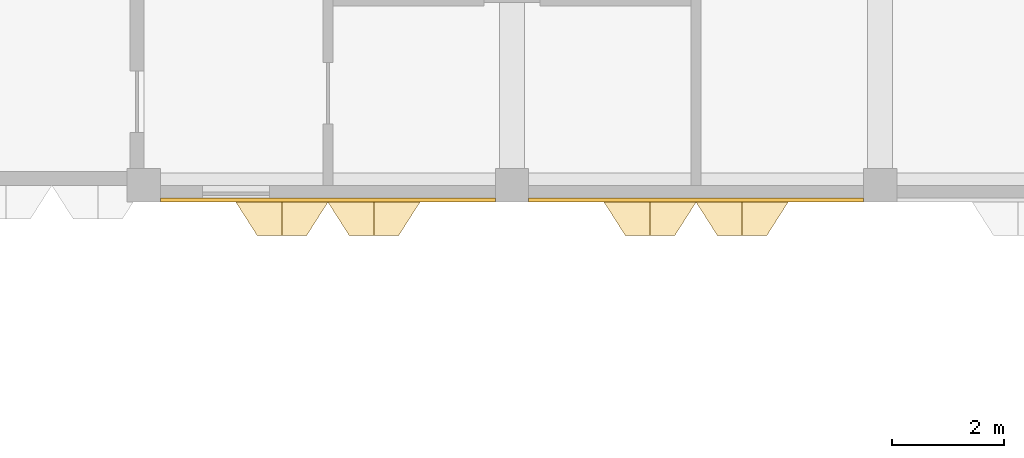
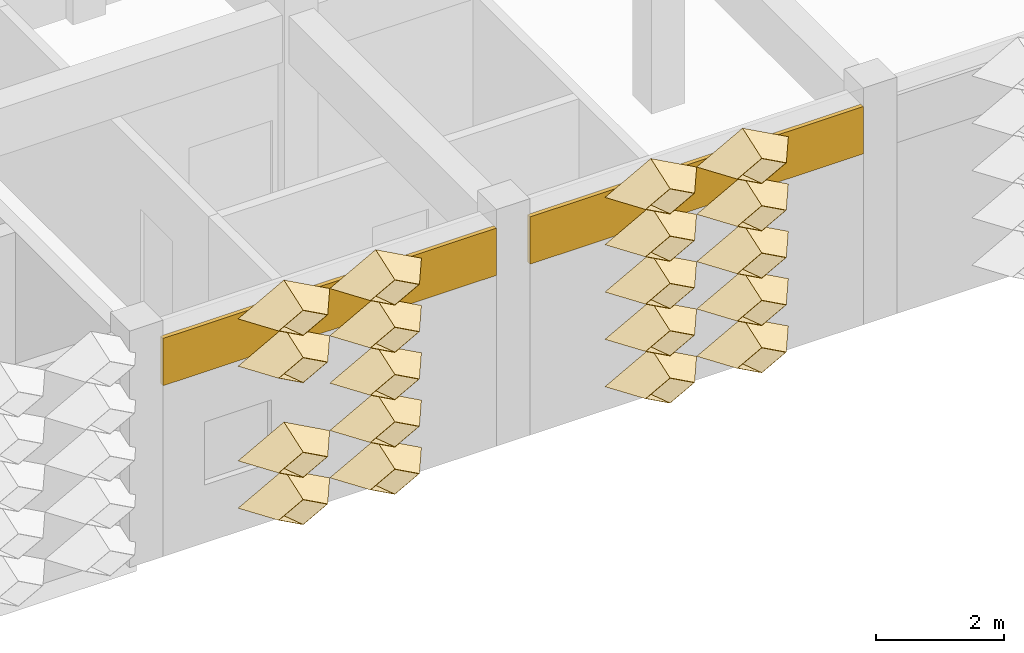
# One storey, part 54 of 87: 21 coverings.
"""IFC4 building model written with IfcOpenShell, lengths in metres."""

from ifc_helpers import new_model, entity, si_unit, direction, frame, frame_2d, origin, place, context, subcontext, project, spatial, rectangle, extrude, material, layer, layer_set, type_object, element, save


model = new_model("IFC4")

# Units and contexts
model_context = context("Model", 3, precision=1e-05, world=origin(), true_north=direction((0.0, 1.0)))
body_context = subcontext(model_context, "Body", "Model", "MODEL_VIEW")
ifc_project = project(units=[si_unit("LENGTHUNIT", "METRE"), si_unit("AREAUNIT", "SQUARE_METRE"), si_unit("VOLUMEUNIT", "CUBIC_METRE"), si_unit("PLANEANGLEUNIT", "RADIAN"), si_unit("MASSUNIT", "GRAM", prefix="KILO")], contexts=[model_context])

# Site, building, storey
site_placement = place(None, origin())
site = spatial("IfcSite", under=ifc_project, at=site_placement, CompositionType="ELEMENT")
building_placement = place(site_placement, origin())
building = spatial("IfcBuilding", under=site, at=building_placement, Name="Lantern Court Research Institute", CompositionType="ELEMENT")
storey_placement = place(building_placement, frame((0.0, 0.0, 5.39990234375)))
storey = spatial("IfcBuildingStorey", under=building, at=storey_placement, Name="L01", CompositionType="ELEMENT", Elevation=5.39990234375)

# Coverings
ifc_material_1 = material(Name="Aluminium composite panel with mineral wool insulation", Category="aluminium")
ifc_layer_1 = layer(ifc_material_1, 0.074951171875)
ifc_layer_set_1 = layer_set([ifc_layer_1], Name="Aluminium composite panel with mineral wool insulation")
covering_type_1 = type_object("IfcCoveringType", Name="Edge fascia panel 75 aluminium faced", PredefinedType="CLADDING", material=ifc_layer_set_1)
for number, where, z_axis, x_axis, name in (
    (1, (12.89990234375, 49.237548828125, 3.25), (0.0, 0.0, 1.0), (-1.0, 0.0, 0.0), "Edge fascia V3S L01 01"),
    (2, (19.5, 49.237548828125, 3.25), (0.0, 0.0, 1.0), (-1.0, 0.0, 0.0), "Edge fascia V3S L01 02"),
):
    element("IfcCovering", number, at=place(storey_placement, frame(where, z_axis=z_axis, x_axis=x_axis)), inside=storey, type_object=covering_type_1, Name=name, PredefinedType="CLADDING", context=body_context, shape_type="SweptSolid", body=[
        extrude(rectangle(XDim=6.0, YDim=0.074951171875, at=frame_2d((3.0, 0.0))), origin(), (0.0, 0.0, 1.0), 0.900146484375),
    ])
ifc_material_2 = material(Name="Anodised aluminium", Category="aluminium")
ifc_layer_2 = layer(ifc_material_2, 0.01611328125)
ifc_layer_set_2 = layer_set([ifc_layer_2], Name="Anodised aluminium")
covering_type_2 = type_object("IfcCoveringType", Name="Fin cassette 1650 x 900 x 600 aluminium", PredefinedType="CLADDING", material=ifc_layer_set_2)
covering_1_placement = place(storey_placement, frame((9.074951171875, 49.199951171875, 0.4501953125), z_axis=(0.0, -1.0, 0.0), x_axis=(1.0, 0.0, 0.0)))
cartesian_point_1 = entity("IfcCartesianPoint", [0.824951171875, 0.0])
cartesian_point_2 = entity("IfcCartesianPoint", [0.79150390625, 0.0])
cartesian_point_3 = entity("IfcCartesianPoint", [0.44189453125, 0.0])
cartesian_point_4 = entity("IfcCartesianPoint", [0.43359375, 0.0])
element("IfcCovering", 3, at=covering_1_placement, inside=storey, type_object=covering_type_2, Name="Fin cassette V3S-L01 1.6", PredefinedType="CLADDING", context=body_context, shape_type="SweptSolid", body=[
    entity("IfcExtrudedAreaSolidTapered", entity("IfcArbitraryProfileDefWithVoids", "AREA", None, entity("IfcPolyline", [cartesian_point_1, entity("IfcCartesianPoint", [0.0, 0.449951171875]), entity("IfcCartesianPoint", [-0.824951171875, 0.0]), entity("IfcCartesianPoint", [0.0, -0.449951171875]), cartesian_point_1]), [entity("IfcPolyline", [cartesian_point_2, entity("IfcCartesianPoint", [0.0, 0.431884765625]), entity("IfcCartesianPoint", [-0.79150390625, 0.0]), entity("IfcCartesianPoint", [0.0, -0.431884765625]), cartesian_point_2])]), entity("IfcAxis2Placement3D", entity("IfcCartesianPoint", [0.0, 0.0, 0.0])), entity("IfcDirection", [0.0, 0.0, 1.0]), 0.60009765625, entity("IfcArbitraryProfileDefWithVoids", "AREA", None, entity("IfcPolyline", [cartesian_point_3, entity("IfcCartesianPoint", [0.0, 0.240966796875]), entity("IfcCartesianPoint", [-0.44189453125, 0.0]), entity("IfcCartesianPoint", [0.0, -0.240966796875]), cartesian_point_3]), [entity("IfcPolyline", [cartesian_point_4, entity("IfcCartesianPoint", [0.0, 0.236572265625]), entity("IfcCartesianPoint", [-0.43359375, 0.0]), entity("IfcCartesianPoint", [0.0, -0.236572265625]), cartesian_point_4])])),
])
covering_2_placement = place(storey_placement, frame((10.72509765625, 49.199951171875, 0.4501953125), z_axis=(0.0, -1.0, 0.0), x_axis=(1.0, 0.0, 0.0)))
cartesian_point_5 = entity("IfcCartesianPoint", [0.824951171875, 0.0])
cartesian_point_6 = entity("IfcCartesianPoint", [0.79150390625, 0.0])
cartesian_point_7 = entity("IfcCartesianPoint", [0.44189453125, 0.0])
cartesian_point_8 = entity("IfcCartesianPoint", [0.43359375, 0.0])
element("IfcCovering", 4, at=covering_2_placement, inside=storey, type_object=covering_type_2, Name="Fin cassette V3S-L01 1.7", PredefinedType="CLADDING", context=body_context, shape_type="SweptSolid", body=[
    entity("IfcExtrudedAreaSolidTapered", entity("IfcArbitraryProfileDefWithVoids", "AREA", None, entity("IfcPolyline", [cartesian_point_5, entity("IfcCartesianPoint", [0.0, 0.449951171875]), entity("IfcCartesianPoint", [-0.824951171875, 0.0]), entity("IfcCartesianPoint", [0.0, -0.449951171875]), cartesian_point_5]), [entity("IfcPolyline", [cartesian_point_6, entity("IfcCartesianPoint", [0.0, 0.431884765625]), entity("IfcCartesianPoint", [-0.79150390625, 0.0]), entity("IfcCartesianPoint", [0.0, -0.431884765625]), cartesian_point_6])]), entity("IfcAxis2Placement3D", entity("IfcCartesianPoint", [0.0, 0.0, 0.0])), entity("IfcDirection", [0.0, 0.0, 1.0]), 0.60009765625, entity("IfcArbitraryProfileDefWithVoids", "AREA", None, entity("IfcPolyline", [cartesian_point_7, entity("IfcCartesianPoint", [0.0, 0.240966796875]), entity("IfcCartesianPoint", [-0.44189453125, 0.0]), entity("IfcCartesianPoint", [0.0, -0.240966796875]), cartesian_point_7]), [entity("IfcPolyline", [cartesian_point_8, entity("IfcCartesianPoint", [0.0, 0.236572265625]), entity("IfcCartesianPoint", [-0.43359375, 0.0]), entity("IfcCartesianPoint", [0.0, -0.236572265625]), cartesian_point_8])])),
])
covering_3_placement = place(storey_placement, frame((15.675048828125, 49.199951171875, 0.4501953125), z_axis=(0.0, -1.0, 0.0), x_axis=(1.0, 0.0, 0.0)))
cartesian_point_9 = entity("IfcCartesianPoint", [0.824951171875, 0.0])
cartesian_point_10 = entity("IfcCartesianPoint", [0.79150390625, 0.0])
cartesian_point_11 = entity("IfcCartesianPoint", [0.44189453125, 0.0])
cartesian_point_12 = entity("IfcCartesianPoint", [0.43359375, 0.0])
element("IfcCovering", 5, at=covering_3_placement, inside=storey, type_object=covering_type_2, Name="Fin cassette V3S-L01 1.10", PredefinedType="CLADDING", context=body_context, shape_type="SweptSolid", body=[
    entity("IfcExtrudedAreaSolidTapered", entity("IfcArbitraryProfileDefWithVoids", "AREA", None, entity("IfcPolyline", [cartesian_point_9, entity("IfcCartesianPoint", [0.0, 0.449951171875]), entity("IfcCartesianPoint", [-0.824951171875, 0.0]), entity("IfcCartesianPoint", [0.0, -0.449951171875]), cartesian_point_9]), [entity("IfcPolyline", [cartesian_point_10, entity("IfcCartesianPoint", [0.0, 0.431884765625]), entity("IfcCartesianPoint", [-0.79150390625, 0.0]), entity("IfcCartesianPoint", [0.0, -0.431884765625]), cartesian_point_10])]), entity("IfcAxis2Placement3D", entity("IfcCartesianPoint", [0.0, 0.0, 0.0])), entity("IfcDirection", [0.0, 0.0, 1.0]), 0.60009765625, entity("IfcArbitraryProfileDefWithVoids", "AREA", None, entity("IfcPolyline", [cartesian_point_11, entity("IfcCartesianPoint", [0.0, 0.240966796875]), entity("IfcCartesianPoint", [-0.44189453125, 0.0]), entity("IfcCartesianPoint", [0.0, -0.240966796875]), cartesian_point_11]), [entity("IfcPolyline", [cartesian_point_12, entity("IfcCartesianPoint", [0.0, 0.236572265625]), entity("IfcCartesianPoint", [-0.43359375, 0.0]), entity("IfcCartesianPoint", [0.0, -0.236572265625]), cartesian_point_12])])),
])
covering_4_placement = place(storey_placement, frame((17.324951171875, 49.199951171875, 0.4501953125), z_axis=(0.0, -1.0, 0.0), x_axis=(1.0, 0.0, 0.0)))
cartesian_point_13 = entity("IfcCartesianPoint", [0.824951171875, 0.0])
cartesian_point_14 = entity("IfcCartesianPoint", [0.79150390625, 0.0])
cartesian_point_15 = entity("IfcCartesianPoint", [0.44189453125, 0.0])
cartesian_point_16 = entity("IfcCartesianPoint", [0.43359375, 0.0])
element("IfcCovering", 6, at=covering_4_placement, inside=storey, type_object=covering_type_2, Name="Fin cassette V3S-L01 1.11", PredefinedType="CLADDING", context=body_context, shape_type="SweptSolid", body=[
    entity("IfcExtrudedAreaSolidTapered", entity("IfcArbitraryProfileDefWithVoids", "AREA", None, entity("IfcPolyline", [cartesian_point_13, entity("IfcCartesianPoint", [0.0, 0.449951171875]), entity("IfcCartesianPoint", [-0.824951171875, 0.0]), entity("IfcCartesianPoint", [0.0, -0.449951171875]), cartesian_point_13]), [entity("IfcPolyline", [cartesian_point_14, entity("IfcCartesianPoint", [0.0, 0.431884765625]), entity("IfcCartesianPoint", [-0.79150390625, 0.0]), entity("IfcCartesianPoint", [0.0, -0.431884765625]), cartesian_point_14])]), entity("IfcAxis2Placement3D", entity("IfcCartesianPoint", [0.0, 0.0, 0.0])), entity("IfcDirection", [0.0, 0.0, 1.0]), 0.60009765625, entity("IfcArbitraryProfileDefWithVoids", "AREA", None, entity("IfcPolyline", [cartesian_point_15, entity("IfcCartesianPoint", [0.0, 0.240966796875]), entity("IfcCartesianPoint", [-0.44189453125, 0.0]), entity("IfcCartesianPoint", [0.0, -0.240966796875]), cartesian_point_15]), [entity("IfcPolyline", [cartesian_point_16, entity("IfcCartesianPoint", [0.0, 0.236572265625]), entity("IfcCartesianPoint", [-0.43359375, 0.0]), entity("IfcCartesianPoint", [0.0, -0.236572265625]), cartesian_point_16])])),
])
covering_5_placement = place(storey_placement, frame((9.074951171875, 49.199951171875, 1.35009765625), z_axis=(0.0, -1.0, 0.0), x_axis=(1.0, 0.0, 0.0)))
cartesian_point_17 = entity("IfcCartesianPoint", [0.824951171875, 0.0])
cartesian_point_18 = entity("IfcCartesianPoint", [0.79150390625, 0.0])
cartesian_point_19 = entity("IfcCartesianPoint", [0.44189453125, 0.0])
cartesian_point_20 = entity("IfcCartesianPoint", [0.43359375, 0.0])
element("IfcCovering", 7, at=covering_5_placement, inside=storey, type_object=covering_type_2, Name="Fin cassette V3S-L01 2.6", PredefinedType="CLADDING", context=body_context, shape_type="SweptSolid", body=[
    entity("IfcExtrudedAreaSolidTapered", entity("IfcArbitraryProfileDefWithVoids", "AREA", None, entity("IfcPolyline", [cartesian_point_17, entity("IfcCartesianPoint", [0.0, 0.449951171875]), entity("IfcCartesianPoint", [-0.824951171875, 0.0]), entity("IfcCartesianPoint", [0.0, -0.449951171875]), cartesian_point_17]), [entity("IfcPolyline", [cartesian_point_18, entity("IfcCartesianPoint", [0.0, 0.431884765625]), entity("IfcCartesianPoint", [-0.79150390625, 0.0]), entity("IfcCartesianPoint", [0.0, -0.431884765625]), cartesian_point_18])]), entity("IfcAxis2Placement3D", entity("IfcCartesianPoint", [0.0, 0.0, 0.0])), entity("IfcDirection", [0.0, 0.0, 1.0]), 0.60009765625, entity("IfcArbitraryProfileDefWithVoids", "AREA", None, entity("IfcPolyline", [cartesian_point_19, entity("IfcCartesianPoint", [0.0, 0.240966796875]), entity("IfcCartesianPoint", [-0.44189453125, 0.0]), entity("IfcCartesianPoint", [0.0, -0.240966796875]), cartesian_point_19]), [entity("IfcPolyline", [cartesian_point_20, entity("IfcCartesianPoint", [0.0, 0.236572265625]), entity("IfcCartesianPoint", [-0.43359375, 0.0]), entity("IfcCartesianPoint", [0.0, -0.236572265625]), cartesian_point_20])])),
])
covering_6_placement = place(storey_placement, frame((10.72509765625, 49.199951171875, 1.35009765625), z_axis=(0.0, -1.0, 0.0), x_axis=(1.0, 0.0, 0.0)))
cartesian_point_21 = entity("IfcCartesianPoint", [0.824951171875, 0.0])
cartesian_point_22 = entity("IfcCartesianPoint", [0.79150390625, 0.0])
cartesian_point_23 = entity("IfcCartesianPoint", [0.44189453125, 0.0])
cartesian_point_24 = entity("IfcCartesianPoint", [0.43359375, 0.0])
element("IfcCovering", 8, at=covering_6_placement, inside=storey, type_object=covering_type_2, Name="Fin cassette V3S-L01 2.7", PredefinedType="CLADDING", context=body_context, shape_type="SweptSolid", body=[
    entity("IfcExtrudedAreaSolidTapered", entity("IfcArbitraryProfileDefWithVoids", "AREA", None, entity("IfcPolyline", [cartesian_point_21, entity("IfcCartesianPoint", [0.0, 0.449951171875]), entity("IfcCartesianPoint", [-0.824951171875, 0.0]), entity("IfcCartesianPoint", [0.0, -0.449951171875]), cartesian_point_21]), [entity("IfcPolyline", [cartesian_point_22, entity("IfcCartesianPoint", [0.0, 0.431884765625]), entity("IfcCartesianPoint", [-0.79150390625, 0.0]), entity("IfcCartesianPoint", [0.0, -0.431884765625]), cartesian_point_22])]), entity("IfcAxis2Placement3D", entity("IfcCartesianPoint", [0.0, 0.0, 0.0])), entity("IfcDirection", [0.0, 0.0, 1.0]), 0.60009765625, entity("IfcArbitraryProfileDefWithVoids", "AREA", None, entity("IfcPolyline", [cartesian_point_23, entity("IfcCartesianPoint", [0.0, 0.240966796875]), entity("IfcCartesianPoint", [-0.44189453125, 0.0]), entity("IfcCartesianPoint", [0.0, -0.240966796875]), cartesian_point_23]), [entity("IfcPolyline", [cartesian_point_24, entity("IfcCartesianPoint", [0.0, 0.236572265625]), entity("IfcCartesianPoint", [-0.43359375, 0.0]), entity("IfcCartesianPoint", [0.0, -0.236572265625]), cartesian_point_24])])),
])
covering_7_placement = place(storey_placement, frame((15.675048828125, 49.199951171875, 1.35009765625), z_axis=(0.0, -1.0, 0.0), x_axis=(1.0, 0.0, 0.0)))
cartesian_point_25 = entity("IfcCartesianPoint", [0.824951171875, 0.0])
cartesian_point_26 = entity("IfcCartesianPoint", [0.79150390625, 0.0])
cartesian_point_27 = entity("IfcCartesianPoint", [0.44189453125, 0.0])
cartesian_point_28 = entity("IfcCartesianPoint", [0.43359375, 0.0])
element("IfcCovering", 9, at=covering_7_placement, inside=storey, type_object=covering_type_2, Name="Fin cassette V3S-L01 2.10", PredefinedType="CLADDING", context=body_context, shape_type="SweptSolid", body=[
    entity("IfcExtrudedAreaSolidTapered", entity("IfcArbitraryProfileDefWithVoids", "AREA", None, entity("IfcPolyline", [cartesian_point_25, entity("IfcCartesianPoint", [0.0, 0.449951171875]), entity("IfcCartesianPoint", [-0.824951171875, 0.0]), entity("IfcCartesianPoint", [0.0, -0.449951171875]), cartesian_point_25]), [entity("IfcPolyline", [cartesian_point_26, entity("IfcCartesianPoint", [0.0, 0.431884765625]), entity("IfcCartesianPoint", [-0.79150390625, 0.0]), entity("IfcCartesianPoint", [0.0, -0.431884765625]), cartesian_point_26])]), entity("IfcAxis2Placement3D", entity("IfcCartesianPoint", [0.0, 0.0, 0.0])), entity("IfcDirection", [0.0, 0.0, 1.0]), 0.60009765625, entity("IfcArbitraryProfileDefWithVoids", "AREA", None, entity("IfcPolyline", [cartesian_point_27, entity("IfcCartesianPoint", [0.0, 0.240966796875]), entity("IfcCartesianPoint", [-0.44189453125, 0.0]), entity("IfcCartesianPoint", [0.0, -0.240966796875]), cartesian_point_27]), [entity("IfcPolyline", [cartesian_point_28, entity("IfcCartesianPoint", [0.0, 0.236572265625]), entity("IfcCartesianPoint", [-0.43359375, 0.0]), entity("IfcCartesianPoint", [0.0, -0.236572265625]), cartesian_point_28])])),
])
covering_8_placement = place(storey_placement, frame((17.324951171875, 49.199951171875, 1.35009765625), z_axis=(0.0, -1.0, 0.0), x_axis=(1.0, 0.0, 0.0)))
cartesian_point_29 = entity("IfcCartesianPoint", [0.824951171875, 0.0])
cartesian_point_30 = entity("IfcCartesianPoint", [0.79150390625, 0.0])
cartesian_point_31 = entity("IfcCartesianPoint", [0.44189453125, 0.0])
cartesian_point_32 = entity("IfcCartesianPoint", [0.43359375, 0.0])
element("IfcCovering", 10, at=covering_8_placement, inside=storey, type_object=covering_type_2, Name="Fin cassette V3S-L01 2.11", PredefinedType="CLADDING", context=body_context, shape_type="SweptSolid", body=[
    entity("IfcExtrudedAreaSolidTapered", entity("IfcArbitraryProfileDefWithVoids", "AREA", None, entity("IfcPolyline", [cartesian_point_29, entity("IfcCartesianPoint", [0.0, 0.449951171875]), entity("IfcCartesianPoint", [-0.824951171875, 0.0]), entity("IfcCartesianPoint", [0.0, -0.449951171875]), cartesian_point_29]), [entity("IfcPolyline", [cartesian_point_30, entity("IfcCartesianPoint", [0.0, 0.431884765625]), entity("IfcCartesianPoint", [-0.79150390625, 0.0]), entity("IfcCartesianPoint", [0.0, -0.431884765625]), cartesian_point_30])]), entity("IfcAxis2Placement3D", entity("IfcCartesianPoint", [0.0, 0.0, 0.0])), entity("IfcDirection", [0.0, 0.0, 1.0]), 0.60009765625, entity("IfcArbitraryProfileDefWithVoids", "AREA", None, entity("IfcPolyline", [cartesian_point_31, entity("IfcCartesianPoint", [0.0, 0.240966796875]), entity("IfcCartesianPoint", [-0.44189453125, 0.0]), entity("IfcCartesianPoint", [0.0, -0.240966796875]), cartesian_point_31]), [entity("IfcPolyline", [cartesian_point_32, entity("IfcCartesianPoint", [0.0, 0.236572265625]), entity("IfcCartesianPoint", [-0.43359375, 0.0]), entity("IfcCartesianPoint", [0.0, -0.236572265625]), cartesian_point_32])])),
])
covering_9_placement = place(storey_placement, frame((10.72509765625, 49.199951171875, 2.25), z_axis=(0.0, -1.0, 0.0), x_axis=(1.0, 0.0, 0.0)))
cartesian_point_33 = entity("IfcCartesianPoint", [0.824951171875, 0.0])
cartesian_point_34 = entity("IfcCartesianPoint", [0.79150390625, 0.0])
cartesian_point_35 = entity("IfcCartesianPoint", [0.44189453125, 0.0])
cartesian_point_36 = entity("IfcCartesianPoint", [0.43359375, 0.0])
element("IfcCovering", 11, at=covering_9_placement, inside=storey, type_object=covering_type_2, Name="Fin cassette V3S-L01 3.7", PredefinedType="CLADDING", context=body_context, shape_type="SweptSolid", body=[
    entity("IfcExtrudedAreaSolidTapered", entity("IfcArbitraryProfileDefWithVoids", "AREA", None, entity("IfcPolyline", [cartesian_point_33, entity("IfcCartesianPoint", [0.0, 0.449951171875]), entity("IfcCartesianPoint", [-0.824951171875, 0.0]), entity("IfcCartesianPoint", [0.0, -0.449951171875]), cartesian_point_33]), [entity("IfcPolyline", [cartesian_point_34, entity("IfcCartesianPoint", [0.0, 0.431884765625]), entity("IfcCartesianPoint", [-0.79150390625, 0.0]), entity("IfcCartesianPoint", [0.0, -0.431884765625]), cartesian_point_34])]), entity("IfcAxis2Placement3D", entity("IfcCartesianPoint", [0.0, 0.0, 0.0])), entity("IfcDirection", [0.0, 0.0, 1.0]), 0.60009765625, entity("IfcArbitraryProfileDefWithVoids", "AREA", None, entity("IfcPolyline", [cartesian_point_35, entity("IfcCartesianPoint", [0.0, 0.240966796875]), entity("IfcCartesianPoint", [-0.44189453125, 0.0]), entity("IfcCartesianPoint", [0.0, -0.240966796875]), cartesian_point_35]), [entity("IfcPolyline", [cartesian_point_36, entity("IfcCartesianPoint", [0.0, 0.236572265625]), entity("IfcCartesianPoint", [-0.43359375, 0.0]), entity("IfcCartesianPoint", [0.0, -0.236572265625]), cartesian_point_36])])),
])
covering_10_placement = place(storey_placement, frame((15.675048828125, 49.199951171875, 2.25), z_axis=(0.0, -1.0, 0.0), x_axis=(1.0, 0.0, 0.0)))
cartesian_point_37 = entity("IfcCartesianPoint", [0.824951171875, 0.0])
cartesian_point_38 = entity("IfcCartesianPoint", [0.79150390625, 0.0])
cartesian_point_39 = entity("IfcCartesianPoint", [0.44189453125, 0.0])
cartesian_point_40 = entity("IfcCartesianPoint", [0.43359375, 0.0])
element("IfcCovering", 12, at=covering_10_placement, inside=storey, type_object=covering_type_2, Name="Fin cassette V3S-L01 3.10", PredefinedType="CLADDING", context=body_context, shape_type="SweptSolid", body=[
    entity("IfcExtrudedAreaSolidTapered", entity("IfcArbitraryProfileDefWithVoids", "AREA", None, entity("IfcPolyline", [cartesian_point_37, entity("IfcCartesianPoint", [0.0, 0.449951171875]), entity("IfcCartesianPoint", [-0.824951171875, 0.0]), entity("IfcCartesianPoint", [0.0, -0.449951171875]), cartesian_point_37]), [entity("IfcPolyline", [cartesian_point_38, entity("IfcCartesianPoint", [0.0, 0.431884765625]), entity("IfcCartesianPoint", [-0.79150390625, 0.0]), entity("IfcCartesianPoint", [0.0, -0.431884765625]), cartesian_point_38])]), entity("IfcAxis2Placement3D", entity("IfcCartesianPoint", [0.0, 0.0, 0.0])), entity("IfcDirection", [0.0, 0.0, 1.0]), 0.60009765625, entity("IfcArbitraryProfileDefWithVoids", "AREA", None, entity("IfcPolyline", [cartesian_point_39, entity("IfcCartesianPoint", [0.0, 0.240966796875]), entity("IfcCartesianPoint", [-0.44189453125, 0.0]), entity("IfcCartesianPoint", [0.0, -0.240966796875]), cartesian_point_39]), [entity("IfcPolyline", [cartesian_point_40, entity("IfcCartesianPoint", [0.0, 0.236572265625]), entity("IfcCartesianPoint", [-0.43359375, 0.0]), entity("IfcCartesianPoint", [0.0, -0.236572265625]), cartesian_point_40])])),
])
covering_11_placement = place(storey_placement, frame((17.324951171875, 49.199951171875, 2.25), z_axis=(0.0, -1.0, 0.0), x_axis=(1.0, 0.0, 0.0)))
cartesian_point_41 = entity("IfcCartesianPoint", [0.824951171875, 0.0])
cartesian_point_42 = entity("IfcCartesianPoint", [0.79150390625, 0.0])
cartesian_point_43 = entity("IfcCartesianPoint", [0.44189453125, 0.0])
cartesian_point_44 = entity("IfcCartesianPoint", [0.43359375, 0.0])
element("IfcCovering", 13, at=covering_11_placement, inside=storey, type_object=covering_type_2, Name="Fin cassette V3S-L01 3.11", PredefinedType="CLADDING", context=body_context, shape_type="SweptSolid", body=[
    entity("IfcExtrudedAreaSolidTapered", entity("IfcArbitraryProfileDefWithVoids", "AREA", None, entity("IfcPolyline", [cartesian_point_41, entity("IfcCartesianPoint", [0.0, 0.449951171875]), entity("IfcCartesianPoint", [-0.824951171875, 0.0]), entity("IfcCartesianPoint", [0.0, -0.449951171875]), cartesian_point_41]), [entity("IfcPolyline", [cartesian_point_42, entity("IfcCartesianPoint", [0.0, 0.431884765625]), entity("IfcCartesianPoint", [-0.79150390625, 0.0]), entity("IfcCartesianPoint", [0.0, -0.431884765625]), cartesian_point_42])]), entity("IfcAxis2Placement3D", entity("IfcCartesianPoint", [0.0, 0.0, 0.0])), entity("IfcDirection", [0.0, 0.0, 1.0]), 0.60009765625, entity("IfcArbitraryProfileDefWithVoids", "AREA", None, entity("IfcPolyline", [cartesian_point_43, entity("IfcCartesianPoint", [0.0, 0.240966796875]), entity("IfcCartesianPoint", [-0.44189453125, 0.0]), entity("IfcCartesianPoint", [0.0, -0.240966796875]), cartesian_point_43]), [entity("IfcPolyline", [cartesian_point_44, entity("IfcCartesianPoint", [0.0, 0.236572265625]), entity("IfcCartesianPoint", [-0.43359375, 0.0]), entity("IfcCartesianPoint", [0.0, -0.236572265625]), cartesian_point_44])])),
])
covering_12_placement = place(storey_placement, frame((9.074951171875, 49.199951171875, 3.150146484375), z_axis=(0.0, -1.0, 0.0), x_axis=(1.0, 0.0, 0.0)))
cartesian_point_45 = entity("IfcCartesianPoint", [0.824951171875, 0.0])
cartesian_point_46 = entity("IfcCartesianPoint", [0.79150390625, 0.0])
cartesian_point_47 = entity("IfcCartesianPoint", [0.44189453125, 0.0])
cartesian_point_48 = entity("IfcCartesianPoint", [0.43359375, 0.0])
element("IfcCovering", 14, at=covering_12_placement, inside=storey, type_object=covering_type_2, Name="Fin cassette V3S-L01 4.6", PredefinedType="CLADDING", context=body_context, shape_type="SweptSolid", body=[
    entity("IfcExtrudedAreaSolidTapered", entity("IfcArbitraryProfileDefWithVoids", "AREA", None, entity("IfcPolyline", [cartesian_point_45, entity("IfcCartesianPoint", [0.0, 0.449951171875]), entity("IfcCartesianPoint", [-0.824951171875, 0.0]), entity("IfcCartesianPoint", [0.0, -0.449951171875]), cartesian_point_45]), [entity("IfcPolyline", [cartesian_point_46, entity("IfcCartesianPoint", [0.0, 0.431884765625]), entity("IfcCartesianPoint", [-0.79150390625, 0.0]), entity("IfcCartesianPoint", [0.0, -0.431884765625]), cartesian_point_46])]), entity("IfcAxis2Placement3D", entity("IfcCartesianPoint", [0.0, 0.0, 0.0])), entity("IfcDirection", [0.0, 0.0, 1.0]), 0.60009765625, entity("IfcArbitraryProfileDefWithVoids", "AREA", None, entity("IfcPolyline", [cartesian_point_47, entity("IfcCartesianPoint", [0.0, 0.240966796875]), entity("IfcCartesianPoint", [-0.44189453125, 0.0]), entity("IfcCartesianPoint", [0.0, -0.240966796875]), cartesian_point_47]), [entity("IfcPolyline", [cartesian_point_48, entity("IfcCartesianPoint", [0.0, 0.236572265625]), entity("IfcCartesianPoint", [-0.43359375, 0.0]), entity("IfcCartesianPoint", [0.0, -0.236572265625]), cartesian_point_48])])),
])
covering_13_placement = place(storey_placement, frame((10.72509765625, 49.199951171875, 3.150146484375), z_axis=(0.0, -1.0, 0.0), x_axis=(1.0, 0.0, 0.0)))
cartesian_point_49 = entity("IfcCartesianPoint", [0.824951171875, 0.0])
cartesian_point_50 = entity("IfcCartesianPoint", [0.79150390625, 0.0])
cartesian_point_51 = entity("IfcCartesianPoint", [0.44189453125, 0.0])
cartesian_point_52 = entity("IfcCartesianPoint", [0.43359375, 0.0])
element("IfcCovering", 15, at=covering_13_placement, inside=storey, type_object=covering_type_2, Name="Fin cassette V3S-L01 4.7", PredefinedType="CLADDING", context=body_context, shape_type="SweptSolid", body=[
    entity("IfcExtrudedAreaSolidTapered", entity("IfcArbitraryProfileDefWithVoids", "AREA", None, entity("IfcPolyline", [cartesian_point_49, entity("IfcCartesianPoint", [0.0, 0.449951171875]), entity("IfcCartesianPoint", [-0.824951171875, 0.0]), entity("IfcCartesianPoint", [0.0, -0.449951171875]), cartesian_point_49]), [entity("IfcPolyline", [cartesian_point_50, entity("IfcCartesianPoint", [0.0, 0.431884765625]), entity("IfcCartesianPoint", [-0.79150390625, 0.0]), entity("IfcCartesianPoint", [0.0, -0.431884765625]), cartesian_point_50])]), entity("IfcAxis2Placement3D", entity("IfcCartesianPoint", [0.0, 0.0, 0.0])), entity("IfcDirection", [0.0, 0.0, 1.0]), 0.60009765625, entity("IfcArbitraryProfileDefWithVoids", "AREA", None, entity("IfcPolyline", [cartesian_point_51, entity("IfcCartesianPoint", [0.0, 0.240966796875]), entity("IfcCartesianPoint", [-0.44189453125, 0.0]), entity("IfcCartesianPoint", [0.0, -0.240966796875]), cartesian_point_51]), [entity("IfcPolyline", [cartesian_point_52, entity("IfcCartesianPoint", [0.0, 0.236572265625]), entity("IfcCartesianPoint", [-0.43359375, 0.0]), entity("IfcCartesianPoint", [0.0, -0.236572265625]), cartesian_point_52])])),
])
covering_14_placement = place(storey_placement, frame((15.675048828125, 49.199951171875, 3.150146484375), z_axis=(0.0, -1.0, 0.0), x_axis=(1.0, 0.0, 0.0)))
cartesian_point_53 = entity("IfcCartesianPoint", [0.824951171875, 0.0])
cartesian_point_54 = entity("IfcCartesianPoint", [0.79150390625, 0.0])
cartesian_point_55 = entity("IfcCartesianPoint", [0.44189453125, 0.0])
cartesian_point_56 = entity("IfcCartesianPoint", [0.43359375, 0.0])
element("IfcCovering", 16, at=covering_14_placement, inside=storey, type_object=covering_type_2, Name="Fin cassette V3S-L01 4.10", PredefinedType="CLADDING", context=body_context, shape_type="SweptSolid", body=[
    entity("IfcExtrudedAreaSolidTapered", entity("IfcArbitraryProfileDefWithVoids", "AREA", None, entity("IfcPolyline", [cartesian_point_53, entity("IfcCartesianPoint", [0.0, 0.449951171875]), entity("IfcCartesianPoint", [-0.824951171875, 0.0]), entity("IfcCartesianPoint", [0.0, -0.449951171875]), cartesian_point_53]), [entity("IfcPolyline", [cartesian_point_54, entity("IfcCartesianPoint", [0.0, 0.431884765625]), entity("IfcCartesianPoint", [-0.79150390625, 0.0]), entity("IfcCartesianPoint", [0.0, -0.431884765625]), cartesian_point_54])]), entity("IfcAxis2Placement3D", entity("IfcCartesianPoint", [0.0, 0.0, 0.0])), entity("IfcDirection", [0.0, 0.0, 1.0]), 0.60009765625, entity("IfcArbitraryProfileDefWithVoids", "AREA", None, entity("IfcPolyline", [cartesian_point_55, entity("IfcCartesianPoint", [0.0, 0.240966796875]), entity("IfcCartesianPoint", [-0.44189453125, 0.0]), entity("IfcCartesianPoint", [0.0, -0.240966796875]), cartesian_point_55]), [entity("IfcPolyline", [cartesian_point_56, entity("IfcCartesianPoint", [0.0, 0.236572265625]), entity("IfcCartesianPoint", [-0.43359375, 0.0]), entity("IfcCartesianPoint", [0.0, -0.236572265625]), cartesian_point_56])])),
])
covering_15_placement = place(storey_placement, frame((17.324951171875, 49.199951171875, 3.150146484375), z_axis=(0.0, -1.0, 0.0), x_axis=(1.0, 0.0, 0.0)))
cartesian_point_57 = entity("IfcCartesianPoint", [0.824951171875, 0.0])
cartesian_point_58 = entity("IfcCartesianPoint", [0.79150390625, 0.0])
cartesian_point_59 = entity("IfcCartesianPoint", [0.44189453125, 0.0])
cartesian_point_60 = entity("IfcCartesianPoint", [0.43359375, 0.0])
element("IfcCovering", 17, at=covering_15_placement, inside=storey, type_object=covering_type_2, Name="Fin cassette V3S-L01 4.11", PredefinedType="CLADDING", context=body_context, shape_type="SweptSolid", body=[
    entity("IfcExtrudedAreaSolidTapered", entity("IfcArbitraryProfileDefWithVoids", "AREA", None, entity("IfcPolyline", [cartesian_point_57, entity("IfcCartesianPoint", [0.0, 0.449951171875]), entity("IfcCartesianPoint", [-0.824951171875, 0.0]), entity("IfcCartesianPoint", [0.0, -0.449951171875]), cartesian_point_57]), [entity("IfcPolyline", [cartesian_point_58, entity("IfcCartesianPoint", [0.0, 0.431884765625]), entity("IfcCartesianPoint", [-0.79150390625, 0.0]), entity("IfcCartesianPoint", [0.0, -0.431884765625]), cartesian_point_58])]), entity("IfcAxis2Placement3D", entity("IfcCartesianPoint", [0.0, 0.0, 0.0])), entity("IfcDirection", [0.0, 0.0, 1.0]), 0.60009765625, entity("IfcArbitraryProfileDefWithVoids", "AREA", None, entity("IfcPolyline", [cartesian_point_59, entity("IfcCartesianPoint", [0.0, 0.240966796875]), entity("IfcCartesianPoint", [-0.44189453125, 0.0]), entity("IfcCartesianPoint", [0.0, -0.240966796875]), cartesian_point_59]), [entity("IfcPolyline", [cartesian_point_60, entity("IfcCartesianPoint", [0.0, 0.236572265625]), entity("IfcCartesianPoint", [-0.43359375, 0.0]), entity("IfcCartesianPoint", [0.0, -0.236572265625]), cartesian_point_60])])),
])
covering_16_placement = place(storey_placement, frame((9.074951171875, 49.199951171875, 4.050048828125), z_axis=(0.0, -1.0, 0.0), x_axis=(1.0, 0.0, 0.0)))
cartesian_point_61 = entity("IfcCartesianPoint", [0.824951171875, 0.0])
cartesian_point_62 = entity("IfcCartesianPoint", [0.79150390625, 0.0])
cartesian_point_63 = entity("IfcCartesianPoint", [0.44189453125, 0.0])
cartesian_point_64 = entity("IfcCartesianPoint", [0.43359375, 0.0])
element("IfcCovering", 18, at=covering_16_placement, inside=storey, type_object=covering_type_2, Name="Fin cassette V3S-L01 5.6", PredefinedType="CLADDING", context=body_context, shape_type="SweptSolid", body=[
    entity("IfcExtrudedAreaSolidTapered", entity("IfcArbitraryProfileDefWithVoids", "AREA", None, entity("IfcPolyline", [cartesian_point_61, entity("IfcCartesianPoint", [0.0, 0.449951171875]), entity("IfcCartesianPoint", [-0.824951171875, 0.0]), entity("IfcCartesianPoint", [0.0, -0.449951171875]), cartesian_point_61]), [entity("IfcPolyline", [cartesian_point_62, entity("IfcCartesianPoint", [0.0, 0.431884765625]), entity("IfcCartesianPoint", [-0.79150390625, 0.0]), entity("IfcCartesianPoint", [0.0, -0.431884765625]), cartesian_point_62])]), entity("IfcAxis2Placement3D", entity("IfcCartesianPoint", [0.0, 0.0, 0.0])), entity("IfcDirection", [0.0, 0.0, 1.0]), 0.60009765625, entity("IfcArbitraryProfileDefWithVoids", "AREA", None, entity("IfcPolyline", [cartesian_point_63, entity("IfcCartesianPoint", [0.0, 0.240966796875]), entity("IfcCartesianPoint", [-0.44189453125, 0.0]), entity("IfcCartesianPoint", [0.0, -0.240966796875]), cartesian_point_63]), [entity("IfcPolyline", [cartesian_point_64, entity("IfcCartesianPoint", [0.0, 0.236572265625]), entity("IfcCartesianPoint", [-0.43359375, 0.0]), entity("IfcCartesianPoint", [0.0, -0.236572265625]), cartesian_point_64])])),
])
covering_17_placement = place(storey_placement, frame((10.72509765625, 49.199951171875, 4.050048828125), z_axis=(0.0, -1.0, 0.0), x_axis=(1.0, 0.0, 0.0)))
cartesian_point_65 = entity("IfcCartesianPoint", [0.824951171875, 0.0])
cartesian_point_66 = entity("IfcCartesianPoint", [0.79150390625, 0.0])
cartesian_point_67 = entity("IfcCartesianPoint", [0.44189453125, 0.0])
cartesian_point_68 = entity("IfcCartesianPoint", [0.43359375, 0.0])
element("IfcCovering", 19, at=covering_17_placement, inside=storey, type_object=covering_type_2, Name="Fin cassette V3S-L01 5.7", PredefinedType="CLADDING", context=body_context, shape_type="SweptSolid", body=[
    entity("IfcExtrudedAreaSolidTapered", entity("IfcArbitraryProfileDefWithVoids", "AREA", None, entity("IfcPolyline", [cartesian_point_65, entity("IfcCartesianPoint", [0.0, 0.449951171875]), entity("IfcCartesianPoint", [-0.824951171875, 0.0]), entity("IfcCartesianPoint", [0.0, -0.449951171875]), cartesian_point_65]), [entity("IfcPolyline", [cartesian_point_66, entity("IfcCartesianPoint", [0.0, 0.431884765625]), entity("IfcCartesianPoint", [-0.79150390625, 0.0]), entity("IfcCartesianPoint", [0.0, -0.431884765625]), cartesian_point_66])]), entity("IfcAxis2Placement3D", entity("IfcCartesianPoint", [0.0, 0.0, 0.0])), entity("IfcDirection", [0.0, 0.0, 1.0]), 0.60009765625, entity("IfcArbitraryProfileDefWithVoids", "AREA", None, entity("IfcPolyline", [cartesian_point_67, entity("IfcCartesianPoint", [0.0, 0.240966796875]), entity("IfcCartesianPoint", [-0.44189453125, 0.0]), entity("IfcCartesianPoint", [0.0, -0.240966796875]), cartesian_point_67]), [entity("IfcPolyline", [cartesian_point_68, entity("IfcCartesianPoint", [0.0, 0.236572265625]), entity("IfcCartesianPoint", [-0.43359375, 0.0]), entity("IfcCartesianPoint", [0.0, -0.236572265625]), cartesian_point_68])])),
])
covering_18_placement = place(storey_placement, frame((15.675048828125, 49.199951171875, 4.050048828125), z_axis=(0.0, -1.0, 0.0), x_axis=(1.0, 0.0, 0.0)))
cartesian_point_69 = entity("IfcCartesianPoint", [0.824951171875, 0.0])
cartesian_point_70 = entity("IfcCartesianPoint", [0.79150390625, 0.0])
cartesian_point_71 = entity("IfcCartesianPoint", [0.44189453125, 0.0])
cartesian_point_72 = entity("IfcCartesianPoint", [0.43359375, 0.0])
element("IfcCovering", 20, at=covering_18_placement, inside=storey, type_object=covering_type_2, Name="Fin cassette V3S-L01 5.10", PredefinedType="CLADDING", context=body_context, shape_type="SweptSolid", body=[
    entity("IfcExtrudedAreaSolidTapered", entity("IfcArbitraryProfileDefWithVoids", "AREA", None, entity("IfcPolyline", [cartesian_point_69, entity("IfcCartesianPoint", [0.0, 0.449951171875]), entity("IfcCartesianPoint", [-0.824951171875, 0.0]), entity("IfcCartesianPoint", [0.0, -0.449951171875]), cartesian_point_69]), [entity("IfcPolyline", [cartesian_point_70, entity("IfcCartesianPoint", [0.0, 0.431884765625]), entity("IfcCartesianPoint", [-0.79150390625, 0.0]), entity("IfcCartesianPoint", [0.0, -0.431884765625]), cartesian_point_70])]), entity("IfcAxis2Placement3D", entity("IfcCartesianPoint", [0.0, 0.0, 0.0])), entity("IfcDirection", [0.0, 0.0, 1.0]), 0.60009765625, entity("IfcArbitraryProfileDefWithVoids", "AREA", None, entity("IfcPolyline", [cartesian_point_71, entity("IfcCartesianPoint", [0.0, 0.240966796875]), entity("IfcCartesianPoint", [-0.44189453125, 0.0]), entity("IfcCartesianPoint", [0.0, -0.240966796875]), cartesian_point_71]), [entity("IfcPolyline", [cartesian_point_72, entity("IfcCartesianPoint", [0.0, 0.236572265625]), entity("IfcCartesianPoint", [-0.43359375, 0.0]), entity("IfcCartesianPoint", [0.0, -0.236572265625]), cartesian_point_72])])),
])
covering_19_placement = place(storey_placement, frame((17.324951171875, 49.199951171875, 4.050048828125), z_axis=(0.0, -1.0, 0.0), x_axis=(1.0, 0.0, 0.0)))
cartesian_point_73 = entity("IfcCartesianPoint", [0.824951171875, 0.0])
cartesian_point_74 = entity("IfcCartesianPoint", [0.79150390625, 0.0])
cartesian_point_75 = entity("IfcCartesianPoint", [0.44189453125, 0.0])
cartesian_point_76 = entity("IfcCartesianPoint", [0.43359375, 0.0])
element("IfcCovering", 21, at=covering_19_placement, inside=storey, type_object=covering_type_2, Name="Fin cassette V3S-L01 5.11", PredefinedType="CLADDING", context=body_context, shape_type="SweptSolid", body=[
    entity("IfcExtrudedAreaSolidTapered", entity("IfcArbitraryProfileDefWithVoids", "AREA", None, entity("IfcPolyline", [cartesian_point_73, entity("IfcCartesianPoint", [0.0, 0.449951171875]), entity("IfcCartesianPoint", [-0.824951171875, 0.0]), entity("IfcCartesianPoint", [0.0, -0.449951171875]), cartesian_point_73]), [entity("IfcPolyline", [cartesian_point_74, entity("IfcCartesianPoint", [0.0, 0.431884765625]), entity("IfcCartesianPoint", [-0.79150390625, 0.0]), entity("IfcCartesianPoint", [0.0, -0.431884765625]), cartesian_point_74])]), entity("IfcAxis2Placement3D", entity("IfcCartesianPoint", [0.0, 0.0, 0.0])), entity("IfcDirection", [0.0, 0.0, 1.0]), 0.60009765625, entity("IfcArbitraryProfileDefWithVoids", "AREA", None, entity("IfcPolyline", [cartesian_point_75, entity("IfcCartesianPoint", [0.0, 0.240966796875]), entity("IfcCartesianPoint", [-0.44189453125, 0.0]), entity("IfcCartesianPoint", [0.0, -0.240966796875]), cartesian_point_75]), [entity("IfcPolyline", [cartesian_point_76, entity("IfcCartesianPoint", [0.0, 0.236572265625]), entity("IfcCartesianPoint", [-0.43359375, 0.0]), entity("IfcCartesianPoint", [0.0, -0.236572265625]), cartesian_point_76])])),
])

save(model, "model.ifc")
